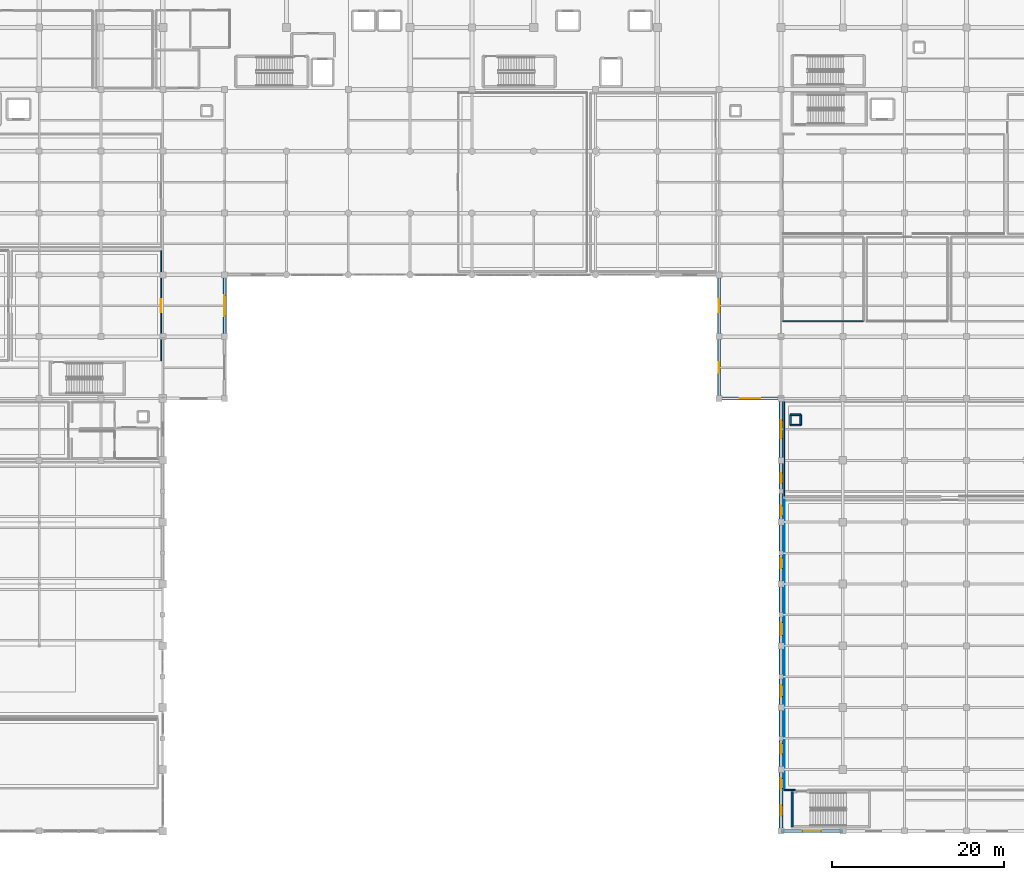
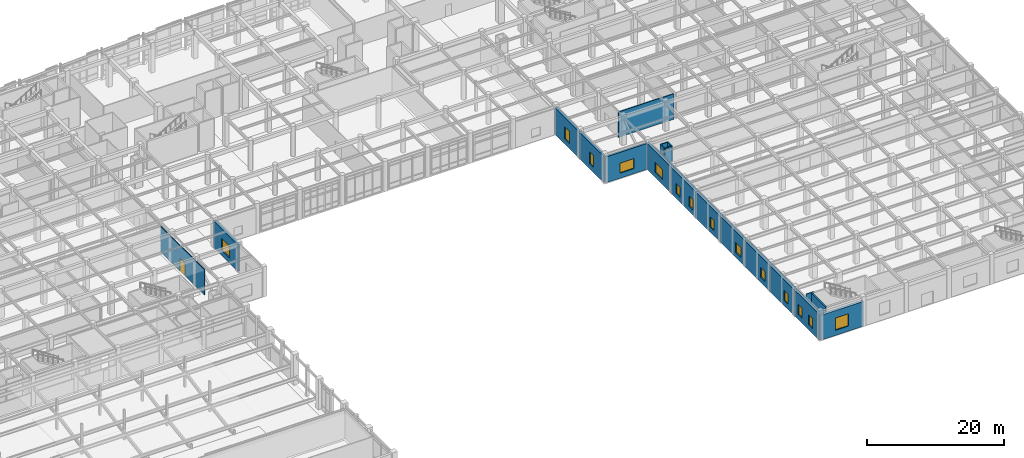
# One storey, part 74 of 102: 22 walls, 14 windows, 1 door, 15 openings.
"""IFC4 building model written with IfcOpenShell, lengths in metres."""

import ifcopenshell
import ifcopenshell.guid

model = None  # the IFC model being written
_history = None  # IfcOwnerHistory: only IFC2X3 demands one
_inside = {}  # id of a spatial element -> (the spatial element, [elements in it])
_under = {}  # id of a project, library or spatial element -> (it, [spatial elements below it])
_declared = {}  # id of a project -> (the project, [libraries it declares])
_typed = {}  # id of a type object -> (the type object, [elements of that type])
_made_of = {}  # id of a material, layer set ... -> (it, [elements and type objects made of it])


def new_model(schema):
    """Start an empty IFC model of exactly this schema.

    Asked for "IFC4X3", IfcOpenShell would pick the latest addendum, in which some entities
    have other attributes; the version numbers below select the first issue.
    IFC2X3 requires an IfcOwnerHistory on every rooted entity: one is made here for all.
    """
    global model, _history
    if schema == "IFC4X3":
        model = ifcopenshell.file(schema_version=(4, 3, 0, 0))
    else:
        model = ifcopenshell.file(schema=schema)
    _inside.clear()
    _under.clear()
    _declared.clear()
    _typed.clear()
    _made_of.clear()
    _history = None
    if model.schema == "IFC2X3":
        org = make("IfcOrganization", Name="unknown")
        user = make(
            "IfcPersonAndOrganization",
            ThePerson=make("IfcPerson", FamilyName="unknown"),
            TheOrganization=org,
        )
        app = make(
            "IfcApplication",
            ApplicationDeveloper=org,
            Version="unknown",
            ApplicationFullName="unknown",
            ApplicationIdentifier="unknown",
        )
        _history = make(
            "IfcOwnerHistory",
            OwningUser=user,
            OwningApplication=app,
            ChangeAction="ADDED",
            CreationDate=0,
        )
    return model


def make(cls, **values):
    """One entity of the class cls with the attributes given. An attribute that is None is left unset."""
    return model.create_entity(
        cls, **{name: value for name, value in values.items() if value is not None}
    )


def rooted(cls, **values):
    """An entity with a GlobalId (a new one), such as an element, a storey or a relation."""
    return make(cls, GlobalId=ifcopenshell.guid.new(), OwnerHistory=_history, **values)


def si_unit(unit_type, name, prefix=None):
    """IfcSIUnit, for example si_unit("LENGTHUNIT", "METRE", prefix="MILLI")."""
    return make("IfcSIUnit", UnitType=unit_type, Prefix=prefix, Name=name)


def assignment(units):
    """IfcUnitAssignment: the units of a project."""
    return None if units is None else make("IfcUnitAssignment", Units=units)


def point(xyz):
    """IfcCartesianPoint."""
    return None if xyz is None else make("IfcCartesianPoint", Coordinates=xyz)


def direction(xyz):
    """IfcDirection."""
    return None if xyz is None else make("IfcDirection", DirectionRatios=xyz)


def frame(location, z_axis=None, x_axis=None):
    """IfcAxis2Placement3D, a coordinate frame: its origin and axes. An axis left out is left unset."""
    return make(
        "IfcAxis2Placement3D",
        Location=point(location),
        Axis=direction(z_axis),
        RefDirection=direction(x_axis),
    )


def frame_2d(location, x_axis=None):
    """IfcAxis2Placement2D, a coordinate frame in the plane: its origin and x axis."""
    return make(
        "IfcAxis2Placement2D", Location=point(location), RefDirection=direction(x_axis)
    )


def origin():
    """The frame at (0, 0, 0) with its axes left unset."""
    return frame((0.0, 0.0, 0.0))


def place(relative_to, where):
    """IfcLocalPlacement: puts the frame where relative to a parent placement (None: the world)."""
    return make(
        "IfcLocalPlacement", PlacementRelTo=relative_to, RelativePlacement=where
    )


def context(
    kind, dimensions, precision=None, world=None, true_north=None, identifier=None
):
    """IfcGeometricRepresentationContext, for example the 3D "Model" context."""
    return make(
        "IfcGeometricRepresentationContext",
        ContextIdentifier=identifier,
        ContextType=kind,
        CoordinateSpaceDimension=dimensions,
        Precision=precision,
        WorldCoordinateSystem=world,
        TrueNorth=true_north,
    )


def subcontext(parent, identifier, kind, view, scale=None):
    """IfcGeometricRepresentationSubContext, for example "Body" below "Model"."""
    return make(
        "IfcGeometricRepresentationSubContext",
        ContextIdentifier=identifier,
        ContextType=kind,
        ParentContext=parent,
        TargetScale=scale,
        TargetView=view,
    )


def project(units=None, contexts=None):
    """IfcProject with its units and contexts."""
    return rooted(
        "IfcProject",
        Name="project",
        RepresentationContexts=contexts,
        UnitsInContext=assignment(units),
    )


def spatial(cls, under=None, at=None, **own):
    """A site, building, storey or space (cls), placed at a placement, below another one or the project."""
    s = rooted(cls, ObjectPlacement=at, **own)
    if under is not None:
        _under.setdefault(under.id(), (under, []))[1].append(s)
    return s


def profile(cls, at=None, kind="AREA", **sizes):
    """A parametric profile (cls). Its sizes go by their IFC names, for example OverallWidth=200.0."""
    return make(cls, ProfileType=kind, Position=at, **sizes)


def rectangle(**sizes):
    """IfcRectangleProfileDef."""
    return profile("IfcRectangleProfileDef", **sizes)


def extrude(swept, where, along, depth):
    """IfcExtrudedAreaSolid: the profile swept, set in the frame where, extruded along a direction by depth."""
    return make(
        "IfcExtrudedAreaSolid",
        SweptArea=swept,
        Position=where,
        ExtrudedDirection=direction(along),
        Depth=depth,
    )


def shape(context_of_items, identifier, shape_type, items):
    """IfcShapeRepresentation: the items that make up one representation, for example the "Body"."""
    return make(
        "IfcShapeRepresentation",
        ContextOfItems=context_of_items,
        RepresentationIdentifier=identifier,
        RepresentationType=shape_type,
        Items=items,
    )


def material(Name=None, Category=None):
    """IfcMaterial."""
    return make("IfcMaterial", Name=Name, Category=Category)


def layer(
    of_material, thickness, ventilated=None, Name=None, Category=None, Priority=None
):
    """IfcMaterialLayer: one layer of a wall or slab, of a material (None: an air gap)."""
    return make(
        "IfcMaterialLayer",
        Material=of_material,
        LayerThickness=thickness,
        IsVentilated=ventilated,
        Name=Name,
        Category=Category,
        Priority=Priority,
    )


def layer_set(layers, Name=None):
    """IfcMaterialLayerSet."""
    return make("IfcMaterialLayerSet", MaterialLayers=layers, LayerSetName=Name)


def made_of(thing, what):
    """Note that an element or type object is made of a material, layer set ...; save() writes the relation."""
    if what is not None:
        _made_of.setdefault(what.id(), (what, []))[1].append(thing)
    return thing


def type_object(cls, material=None, **own):
    """A type object (cls), such as IfcWallType, which elements share."""
    return made_of(rooted(cls, **own), material)


def element(
    cls,
    number,
    at=None,
    inside=None,
    cuts=None,
    type_object=None,
    material=None,
    context=None,
    identifier="Body",
    shape_type=None,
    held_by="IfcProductDefinitionShape",
    body=None,
    shapes=None,
    **own,
):
    """One element of the class cls, such as IfcWall. Its Tag is "e" and its number.

    at: its placement. inside: the storey or other place that contains it. cuts: it is an
    opening in that element (IfcRelVoidsElement). A single representation is given by context,
    identifier, shape_type and body (its items); several are given by shapes. held_by: the class
    of the entity that holds the representations. save() writes the other relations.
    """
    e = rooted(cls, Tag="e%d" % number, ObjectPlacement=at, **own)
    if body is not None:
        shapes = [shape(context, identifier, shape_type, body)]
    if shapes is not None:
        e.Representation = make(held_by, Representations=shapes)
    if inside is not None:
        _inside.setdefault(inside.id(), (inside, []))[1].append(e)
    if cuts is not None:
        rooted(
            "IfcRelVoidsElement", RelatingBuildingElement=cuts, RelatedOpeningElement=e
        )
    if type_object is not None:
        _typed.setdefault(type_object.id(), (type_object, []))[1].append(e)
    return made_of(e, material)


def fill(opening, filler):
    """IfcRelFillsElement: the door or window that sits in an opening."""
    return rooted(
        "IfcRelFillsElement",
        RelatingOpeningElement=opening,
        RelatedBuildingElement=filler,
    )


def aggregate(whole, parts):
    """IfcRelAggregates: a whole, such as a stair, and the parts it consists of."""
    return rooted("IfcRelAggregates", RelatingObject=whole, RelatedObjects=parts)


def save(model, path):
    """Write the relations noted so far, then the file.

    IfcRelAggregates (storeys below a building ...), IfcRelContainedInSpatialStructure (elements
    in a storey), IfcRelDefinesByType, IfcRelAssociatesMaterial and IfcRelDeclares: one each for
    every whole, place, type object, material and project.
    """
    for whole, parts in _under.values():
        aggregate(whole, parts)
    for where, things in _inside.values():
        rooted(
            "IfcRelContainedInSpatialStructure",
            RelatedElements=things,
            RelatingStructure=where,
        )
    for kind, things in _typed.values():
        rooted("IfcRelDefinesByType", RelatedObjects=things, RelatingType=kind)
    for what, things in _made_of.values():
        rooted("IfcRelAssociatesMaterial", RelatedObjects=things, RelatingMaterial=what)
    for by, libraries in _declared.values():
        rooted("IfcRelDeclares", RelatingContext=by, RelatedDefinitions=libraries)
    model.write(path)


model = new_model("IFC4")

# Units and contexts
model_context = context("Model", 3, precision=1e-05, world=origin(), true_north=direction((0.0, 1.0)))
body_context = subcontext(model_context, "Body", "Model", "MODEL_VIEW")
ifc_project = project(units=[si_unit("LENGTHUNIT", "METRE"), si_unit("AREAUNIT", "SQUARE_METRE"), si_unit("VOLUMEUNIT", "CUBIC_METRE"), si_unit("PLANEANGLEUNIT", "RADIAN"), si_unit("MASSUNIT", "GRAM", prefix="KILO")], contexts=[model_context])

# Site, building, storey
site_placement = place(None, origin())
site = spatial("IfcSite", under=ifc_project, at=site_placement, CompositionType="ELEMENT")
building_placement = place(site_placement, origin())
building = spatial("IfcBuilding", under=site, at=building_placement, Name="Carrowvane Square Congress Hotel", CompositionType="ELEMENT")
storey_placement = place(building_placement, origin())
storey = spatial("IfcBuildingStorey", under=building, at=storey_placement, Name="L00", CompositionType="ELEMENT", Elevation=0.0)

# Wall, opening, window
ifc_material_1 = material(Name="Portland limestone cladding", Category="masonry")
ifc_layer_1 = layer(ifc_material_1, 0.3798828125)
ifc_layer_set_1 = layer_set([ifc_layer_1], Name="Portland limestone cladding")
wall_type_1 = type_object("IfcWallType", Name="WL-EXT-LS380", PredefinedType="STANDARD", material=ifc_layer_set_1)
wall_1_placement = place(storey_placement, frame((69.199951171875, 70.199951171875, 0.0), z_axis=(0.0, 0.0, 1.0), x_axis=(0.0, -1.0, 0.0)))
wall_1 = element("IfcWall", 1, at=wall_1_placement, inside=storey, type_object=wall_type_1, Name="L00 exterior facade wall 191", PredefinedType="STANDARD", context=body_context, shape_type="SweptSolid", body=[
    extrude(rectangle(XDim=7.199951171875, YDim=0.3798828125, at=frame_2d((3.60009765625, 0.0))), origin(), (0.0, 0.0, 1.0), 4.72705078125),
])
opening_1_placement = place(wall_1_placement, frame((2.39990234375, 0.0, 0.89990234375)))
opening_1 = element("IfcOpeningElement", 2, at=opening_1_placement, cuts=wall_1, Name="Opening W-12", PredefinedType="OPENING", context=body_context, shape_type="SweptSolid", body=[
    extrude(rectangle(XDim=2.39990234375, YDim=2.10009765625, at=frame_2d((1.199951171875, 1.050048828125))), frame((0.0, 0.199951171875, 0.0), z_axis=(0.0, -1.0, 0.0), x_axis=(1.0, 0.0, 0.0)), (0.0, 0.0, 1.0), 0.39990234375),
])
ifc_material_2 = material(Name="Double-glazed low-E glass", Category="glass")
window_type_1 = type_object("IfcWindowType", Name="WIN-12", PartitioningType="SINGLE_PANEL", PredefinedType="WINDOW", material=ifc_material_2)
window_1_placement = place(opening_1_placement, origin())
window_1 = element("IfcWindow", 3, at=window_1_placement, inside=storey, type_object=window_type_1, Name="L00 facade window 27", OverallHeight=2.10009765625, OverallWidth=2.39990234375, PartitioningType="SINGLE_PANEL", PredefinedType="WINDOW", context=body_context, shape_type="SweptSolid", body=[
    extrude(rectangle(XDim=2.39990234375, YDim=2.10009765625, at=frame_2d((1.199951171875, 1.050048828125))), frame((0.0, 0.030029296875, 0.0), z_axis=(0.0, -1.0, 0.0), x_axis=(1.0, 0.0, 0.0)), (0.0, 0.0, 1.0), 0.06005859375),
])
fill(opening_1, window_1)

ifc_material_3 = material(Name="Portland limestone cladding", Category="masonry")
ifc_layer_2 = layer(ifc_material_3, 0.419921875)
ifc_layer_set_2 = layer_set([ifc_layer_2], Name="Portland limestone cladding")
wall_type_2 = type_object("IfcWallType", Name="WL-EXT-LS420", PredefinedType="STANDARD", material=ifc_layer_set_2)
wall_2_placement = place(storey_placement, frame((141.199951171875, 5.39990234375, 0.0), z_axis=(0.0, 0.0, 1.0), x_axis=(-1.0, 0.0, 0.0)))
wall_2 = element("IfcWall", 4, at=wall_2_placement, inside=storey, type_object=wall_type_2, Name="L00 exterior facade wall 178", PredefinedType="STANDARD", context=body_context, shape_type="SweptSolid", body=[
    extrude(rectangle(XDim=7.199951171875, YDim=0.419921875, at=frame_2d((3.60009765625, 0.0))), origin(), (0.0, 0.0, 1.0), 4.43505859375),
])
opening_2_placement = place(wall_2_placement, frame((2.52490234375, 0.0, 0.89990234375)))
opening_2 = element("IfcOpeningElement", 5, at=opening_2_placement, cuts=wall_2, Name="Opening W-35", PredefinedType="OPENING", context=body_context, shape_type="SweptSolid", body=[
    extrude(rectangle(XDim=2.14990234375, YDim=2.199951171875, at=frame_2d((1.074951171875, 1.10009765625))), frame((0.0, 0.219970703125, 0.0), z_axis=(0.0, -1.0, 0.0), x_axis=(1.0, 0.0, 0.0)), (0.0, 0.0, 1.0), 0.43994140625),
])
ifc_material_4 = material(Name="Double-glazed low-E glass", Category="glass")
window_type_2 = type_object("IfcWindowType", Name="WIN-35", PartitioningType="SINGLE_PANEL", PredefinedType="WINDOW", material=ifc_material_4)
window_2_placement = place(opening_2_placement, origin())
window_2 = element("IfcWindow", 6, at=window_2_placement, inside=storey, type_object=window_type_2, Name="L00 facade window 14", OverallHeight=2.199951171875, OverallWidth=2.14990234375, PartitioningType="SINGLE_PANEL", PredefinedType="WINDOW", context=body_context, shape_type="SweptSolid", body=[
    extrude(rectangle(XDim=2.14990234375, YDim=2.199951171875, at=frame_2d((1.074951171875, 1.10009765625))), frame((0.0, 0.030029296875, 0.0), z_axis=(0.0, -1.0, 0.0), x_axis=(1.0, 0.0, 0.0)), (0.0, 0.0, 1.0), 0.06005859375),
])
fill(opening_2, window_2)

# Wall, openings, windows
wall_3_placement = place(storey_placement, frame((134.0, 5.39990234375, 0.0), z_axis=(0.0, 0.0, 1.0), x_axis=(0.0, 1.0, 0.0)))
wall_3 = element("IfcWall", 7, at=wall_3_placement, inside=storey, type_object=wall_type_2, Name="L00 exterior facade wall 179", PredefinedType="STANDARD", context=body_context, shape_type="SweptSolid", body=[
    extrude(rectangle(XDim=7.2001953125, YDim=0.419921875, at=frame_2d((3.60009765625, 0.0))), origin(), (0.0, 0.0, 1.0), 4.625),
])
opening_3_placement = place(wall_3_placement, frame((1.800048828125, 0.0, 0.89990234375)))
opening_3 = element("IfcOpeningElement", 8, at=opening_3_placement, cuts=wall_3, Name="Opening W-01", PredefinedType="OPENING", context=body_context, shape_type="SweptSolid", body=[
    extrude(rectangle(XDim=1.199951171875, YDim=1.800048828125, at=frame_2d((0.60009765625, 0.89990234375))), frame((0.0, 0.219970703125, 0.0), z_axis=(0.0, -1.0, 0.0), x_axis=(1.0, 0.0, 0.0)), (0.0, 0.0, 1.0), 0.43994140625),
])
opening_4_placement = place(wall_3_placement, frame((4.949951171875, 0.0, 0.89990234375)))
opening_4 = element("IfcOpeningElement", 9, at=opening_4_placement, cuts=wall_3, Name="Opening W-01", PredefinedType="OPENING", context=body_context, shape_type="SweptSolid", body=[
    extrude(rectangle(XDim=1.199951171875, YDim=1.800048828125, at=frame_2d((0.60009765625, 0.89990234375))), frame((0.0, 0.219970703125, 0.0), z_axis=(0.0, -1.0, 0.0), x_axis=(1.0, 0.0, 0.0)), (0.0, 0.0, 1.0), 0.43994140625),
])
ifc_material_5 = material(Name="Double-glazed low-E glass", Category="glass")
window_type_3 = type_object("IfcWindowType", Name="WIN-01", PartitioningType="SINGLE_PANEL", PredefinedType="WINDOW", material=ifc_material_5)
window_3_placement = place(opening_3_placement, origin())
window_3 = element("IfcWindow", 10, at=window_3_placement, inside=storey, type_object=window_type_3, Name="L00 facade window 15", OverallHeight=1.800048828125, OverallWidth=1.199951171875, PartitioningType="SINGLE_PANEL", PredefinedType="WINDOW", context=body_context, shape_type="SweptSolid", body=[
    extrude(rectangle(XDim=1.199951171875, YDim=1.800048828125, at=frame_2d((0.60009765625, 0.89990234375))), frame((0.0, 0.030029296875, 0.0), z_axis=(0.0, -1.0, 0.0), x_axis=(1.0, 0.0, 0.0)), (0.0, 0.0, 1.0), 0.06005859375),
])
fill(opening_3, window_3)
window_4_placement = place(opening_4_placement, origin())
window_4 = element("IfcWindow", 11, at=window_4_placement, inside=storey, type_object=window_type_3, Name="L00 split-bay facade window WIN-L00-0015-1", OverallHeight=1.800048828125, OverallWidth=1.199951171875, PartitioningType="SINGLE_PANEL", PredefinedType="WINDOW", context=body_context, shape_type="SweptSolid", body=[
    extrude(rectangle(XDim=1.199951171875, YDim=1.800048828125, at=frame_2d((0.60009765625, 0.89990234375))), frame((0.0, 0.030029296875, 0.0), z_axis=(0.0, -1.0, 0.0), x_axis=(1.0, 0.0, 0.0)), (0.0, 0.0, 1.0), 0.06005859375),
])
fill(opening_4, window_4)

# Wall, opening, window
wall_4_placement = place(storey_placement, frame((134.0, 12.60009765625, 0.0), z_axis=(0.0, 0.0, 1.0), x_axis=(0.0, 1.0, 0.0)))
wall_4 = element("IfcWall", 12, at=wall_4_placement, inside=storey, type_object=wall_type_2, Name="L00 exterior facade wall 180", PredefinedType="STANDARD", context=body_context, shape_type="SweptSolid", body=[
    extrude(rectangle(XDim=7.199951171875, YDim=0.419921875, at=frame_2d((3.60009765625, 0.0))), origin(), (0.0, 0.0, 1.0), 4.625),
])
opening_5_placement = place(wall_4_placement, frame((1.800048828125, 0.0, 0.89990234375)))
opening_5 = element("IfcOpeningElement", 13, at=opening_5_placement, cuts=wall_4, Name="Opening W-01", PredefinedType="OPENING", context=body_context, shape_type="SweptSolid", body=[
    extrude(rectangle(XDim=1.199951171875, YDim=1.800048828125, at=frame_2d((0.60009765625, 0.89990234375))), frame((0.0, 0.219970703125, 0.0), z_axis=(0.0, -1.0, 0.0), x_axis=(1.0, 0.0, 0.0)), (0.0, 0.0, 1.0), 0.43994140625),
])
window_5_placement = place(opening_5_placement, origin())
window_5 = element("IfcWindow", 14, at=window_5_placement, inside=storey, type_object=window_type_3, Name="L00 facade window 16", OverallHeight=1.800048828125, OverallWidth=1.199951171875, PartitioningType="SINGLE_PANEL", PredefinedType="WINDOW", context=body_context, shape_type="SweptSolid", body=[
    extrude(rectangle(XDim=1.199951171875, YDim=1.800048828125, at=frame_2d((0.60009765625, 0.89990234375))), frame((0.0, 0.030029296875, 0.0), z_axis=(0.0, -1.0, 0.0), x_axis=(1.0, 0.0, 0.0)), (0.0, 0.0, 1.0), 0.06005859375),
])
fill(opening_5, window_5)

wall_5_placement = place(storey_placement, frame((134.0, 19.800048828125, 0.0), z_axis=(0.0, 0.0, 1.0), x_axis=(0.0, 1.0, 0.0)))
wall_5 = element("IfcWall", 15, at=wall_5_placement, inside=storey, type_object=wall_type_2, Name="L00 exterior facade wall 181", PredefinedType="STANDARD", context=body_context, shape_type="SweptSolid", body=[
    extrude(rectangle(XDim=7.199951171875, YDim=0.419921875, at=frame_2d((3.60009765625, 0.0))), origin(), (0.0, 0.0, 1.0), 4.625),
])
opening_6_placement = place(wall_5_placement, frame((1.27490234375, 0.0, 0.89990234375)))
opening_6 = element("IfcOpeningElement", 16, at=opening_6_placement, cuts=wall_5, Name="Opening W-02", PredefinedType="OPENING", context=body_context, shape_type="SweptSolid", body=[
    extrude(rectangle(XDim=1.35009765625, YDim=1.800048828125, at=frame_2d((0.675048828125, 0.89990234375))), frame((0.0, 0.219970703125, 0.0), z_axis=(0.0, -1.0, 0.0), x_axis=(1.0, 0.0, 0.0)), (0.0, 0.0, 1.0), 0.43994140625),
])
ifc_material_6 = material(Name="Double-glazed low-E glass", Category="glass")
window_type_4 = type_object("IfcWindowType", Name="WIN-02", PartitioningType="SINGLE_PANEL", PredefinedType="WINDOW", material=ifc_material_6)
window_6_placement = place(opening_6_placement, origin())
window_6 = element("IfcWindow", 17, at=window_6_placement, inside=storey, type_object=window_type_4, Name="L00 facade window 17", OverallHeight=1.800048828125, OverallWidth=1.35009765625, PartitioningType="SINGLE_PANEL", PredefinedType="WINDOW", context=body_context, shape_type="SweptSolid", body=[
    extrude(rectangle(XDim=1.35009765625, YDim=1.800048828125, at=frame_2d((0.675048828125, 0.89990234375))), frame((0.0, 0.030029296875, 0.0), z_axis=(0.0, -1.0, 0.0), x_axis=(1.0, 0.0, 0.0)), (0.0, 0.0, 1.0), 0.06005859375),
])
fill(opening_6, window_6)

wall_6_placement = place(storey_placement, frame((134.0, 27.0, 0.0), z_axis=(0.0, 0.0, 1.0), x_axis=(0.0, 1.0, 0.0)))
wall_6 = element("IfcWall", 18, at=wall_6_placement, inside=storey, type_object=wall_type_2, Name="L00 exterior facade wall 182", PredefinedType="STANDARD", context=body_context, shape_type="SweptSolid", body=[
    extrude(rectangle(XDim=7.199951171875, YDim=0.419921875, at=frame_2d((3.60009765625, 0.0))), origin(), (0.0, 0.0, 1.0), 4.625),
])
opening_7_placement = place(wall_6_placement, frame((1.199951171875, 0.0, 0.89990234375)))
opening_7 = element("IfcOpeningElement", 19, at=opening_7_placement, cuts=wall_6, Name="Opening W-03", PredefinedType="OPENING", context=body_context, shape_type="SweptSolid", body=[
    extrude(rectangle(XDim=1.5, YDim=1.800048828125, at=frame_2d((0.75, 0.89990234375))), frame((0.0, 0.219970703125, 0.0), z_axis=(0.0, -1.0, 0.0), x_axis=(1.0, 0.0, 0.0)), (0.0, 0.0, 1.0), 0.43994140625),
])
ifc_material_7 = material(Name="Double-glazed low-E glass", Category="glass")
window_type_5 = type_object("IfcWindowType", Name="WIN-03", PartitioningType="SINGLE_PANEL", PredefinedType="WINDOW", material=ifc_material_7)
window_7_placement = place(opening_7_placement, origin())
window_7 = element("IfcWindow", 20, at=window_7_placement, inside=storey, type_object=window_type_5, Name="L00 facade window 18", OverallHeight=1.800048828125, OverallWidth=1.5, PartitioningType="SINGLE_PANEL", PredefinedType="WINDOW", context=body_context, shape_type="SweptSolid", body=[
    extrude(rectangle(XDim=1.5, YDim=1.800048828125, at=frame_2d((0.75, 0.89990234375))), frame((0.0, 0.030029296875, 0.0), z_axis=(0.0, -1.0, 0.0), x_axis=(1.0, 0.0, 0.0)), (0.0, 0.0, 1.0), 0.06005859375),
])
fill(opening_7, window_7)

wall_7_placement = place(storey_placement, frame((134.0, 34.199951171875, 0.0), z_axis=(0.0, 0.0, 1.0), x_axis=(0.0, 1.0, 0.0)))
wall_7 = element("IfcWall", 21, at=wall_7_placement, inside=storey, type_object=wall_type_2, Name="L00 exterior facade wall 183", PredefinedType="STANDARD", context=body_context, shape_type="SweptSolid", body=[
    extrude(rectangle(XDim=7.199951171875, YDim=0.419921875, at=frame_2d((3.60009765625, 0.0))), origin(), (0.0, 0.0, 1.0), 4.625),
])
opening_8_placement = place(wall_7_placement, frame((1.800048828125, 0.0, 0.89990234375)))
opening_8 = element("IfcOpeningElement", 22, at=opening_8_placement, cuts=wall_7, Name="Opening W-01", PredefinedType="OPENING", context=body_context, shape_type="SweptSolid", body=[
    extrude(rectangle(XDim=1.199951171875, YDim=1.800048828125, at=frame_2d((0.60009765625, 0.89990234375))), frame((0.0, 0.219970703125, 0.0), z_axis=(0.0, -1.0, 0.0), x_axis=(1.0, 0.0, 0.0)), (0.0, 0.0, 1.0), 0.43994140625),
])
window_8_placement = place(opening_8_placement, origin())
window_8 = element("IfcWindow", 23, at=window_8_placement, inside=storey, type_object=window_type_3, Name="L00 facade window 19", OverallHeight=1.800048828125, OverallWidth=1.199951171875, PartitioningType="SINGLE_PANEL", PredefinedType="WINDOW", context=body_context, shape_type="SweptSolid", body=[
    extrude(rectangle(XDim=1.199951171875, YDim=1.800048828125, at=frame_2d((0.60009765625, 0.89990234375))), frame((0.0, 0.030029296875, 0.0), z_axis=(0.0, -1.0, 0.0), x_axis=(1.0, 0.0, 0.0)), (0.0, 0.0, 1.0), 0.06005859375),
])
fill(opening_8, window_8)

# Wall, openings, windows
wall_8_placement = place(storey_placement, frame((134.0, 41.39990234375, 0.0), z_axis=(0.0, 0.0, 1.0), x_axis=(0.0, 1.0, 0.0)))
wall_8 = element("IfcWall", 24, at=wall_8_placement, inside=storey, type_object=wall_type_2, Name="L00 exterior facade wall 184", PredefinedType="STANDARD", context=body_context, shape_type="SweptSolid", body=[
    extrude(rectangle(XDim=7.2001953125, YDim=0.419921875, at=frame_2d((3.60009765625, 0.0))), origin(), (0.0, 0.0, 1.0), 4.625),
])
opening_9_placement = place(wall_8_placement, frame((0.699951171875, 0.0, 0.89990234375)))
opening_9 = element("IfcOpeningElement", 25, at=opening_9_placement, cuts=wall_8, Name="Opening W-01", PredefinedType="OPENING", context=body_context, shape_type="SweptSolid", body=[
    extrude(rectangle(XDim=1.199951171875, YDim=1.800048828125, at=frame_2d((0.60009765625, 0.89990234375))), frame((0.0, 0.219970703125, 0.0), z_axis=(0.0, -1.0, 0.0), x_axis=(1.0, 0.0, 0.0)), (0.0, 0.0, 1.0), 0.43994140625),
])
opening_10_placement = place(wall_8_placement, frame((4.5, 0.0, 0.89990234375)))
opening_10 = element("IfcOpeningElement", 26, at=opening_10_placement, cuts=wall_8, Name="Opening W-01", PredefinedType="OPENING", context=body_context, shape_type="SweptSolid", body=[
    extrude(rectangle(XDim=1.199951171875, YDim=1.800048828125, at=frame_2d((0.60009765625, 0.89990234375))), frame((0.0, 0.219970703125, 0.0), z_axis=(0.0, -1.0, 0.0), x_axis=(1.0, 0.0, 0.0)), (0.0, 0.0, 1.0), 0.43994140625),
])
window_9_placement = place(opening_9_placement, origin())
window_9 = element("IfcWindow", 27, at=window_9_placement, inside=storey, type_object=window_type_3, Name="L00 facade window 20", OverallHeight=1.800048828125, OverallWidth=1.199951171875, PartitioningType="SINGLE_PANEL", PredefinedType="WINDOW", context=body_context, shape_type="SweptSolid", body=[
    extrude(rectangle(XDim=1.199951171875, YDim=1.800048828125, at=frame_2d((0.60009765625, 0.89990234375))), frame((0.0, 0.030029296875, 0.0), z_axis=(0.0, -1.0, 0.0), x_axis=(1.0, 0.0, 0.0)), (0.0, 0.0, 1.0), 0.06005859375),
])
fill(opening_9, window_9)
window_10_placement = place(opening_10_placement, origin())
window_10 = element("IfcWindow", 28, at=window_10_placement, inside=storey, type_object=window_type_3, Name="L00 split-bay facade window WIN-L00-0020-2", OverallHeight=1.800048828125, OverallWidth=1.199951171875, PartitioningType="SINGLE_PANEL", PredefinedType="WINDOW", context=body_context, shape_type="SweptSolid", body=[
    extrude(rectangle(XDim=1.199951171875, YDim=1.800048828125, at=frame_2d((0.60009765625, 0.89990234375))), frame((0.0, 0.030029296875, 0.0), z_axis=(0.0, -1.0, 0.0), x_axis=(1.0, 0.0, 0.0)), (0.0, 0.0, 1.0), 0.06005859375),
])
fill(opening_10, window_10)

# Wall, opening, window
wall_9_placement = place(storey_placement, frame((134.0, 48.60009765625, 0.0), z_axis=(0.0, 0.0, 1.0), x_axis=(0.0, 1.0, 0.0)))
wall_9 = element("IfcWall", 29, at=wall_9_placement, inside=storey, type_object=wall_type_2, Name="L00 exterior facade wall 185", PredefinedType="STANDARD", context=body_context, shape_type="SweptSolid", body=[
    extrude(rectangle(XDim=7.199951171875, YDim=0.419921875, at=frame_2d((3.60009765625, 0.0))), origin(), (0.0, 0.0, 1.0), 4.625),
])
opening_11_placement = place(wall_9_placement, frame((2.550048828125, 0.0, 0.89990234375)))
opening_11 = element("IfcOpeningElement", 30, at=opening_11_placement, cuts=wall_9, Name="Opening W-06", PredefinedType="OPENING", context=body_context, shape_type="SweptSolid", body=[
    extrude(rectangle(XDim=2.10009765625, YDim=1.800048828125, at=frame_2d((1.050048828125, 0.89990234375))), frame((0.0, 0.219970703125, 0.0), z_axis=(0.0, -1.0, 0.0), x_axis=(1.0, 0.0, 0.0)), (0.0, 0.0, 1.0), 0.43994140625),
])
ifc_material_8 = material(Name="Double-glazed low-E glass", Category="glass")
window_type_6 = type_object("IfcWindowType", Name="WIN-06", PartitioningType="SINGLE_PANEL", PredefinedType="WINDOW", material=ifc_material_8)
window_11_placement = place(opening_11_placement, origin())
window_11 = element("IfcWindow", 31, at=window_11_placement, inside=storey, type_object=window_type_6, Name="L00 facade window 21", OverallHeight=1.800048828125, OverallWidth=2.10009765625, PartitioningType="SINGLE_PANEL", PredefinedType="WINDOW", context=body_context, shape_type="SweptSolid", body=[
    extrude(rectangle(XDim=2.10009765625, YDim=1.800048828125, at=frame_2d((1.050048828125, 0.89990234375))), frame((0.0, 0.030029296875, 0.0), z_axis=(0.0, -1.0, 0.0), x_axis=(1.0, 0.0, 0.0)), (0.0, 0.0, 1.0), 0.06005859375),
])
fill(opening_11, window_11)

ifc_material_9 = material(Name="Glazed terracotta rainscreen", Category="masonry")
ifc_layer_3 = layer(ifc_material_9, 0.360107421875)
ifc_layer_set_3 = layer_set([ifc_layer_3], Name="Glazed terracotta rainscreen")
wall_type_3 = type_object("IfcWallType", Name="WL-EXT-TC360", PredefinedType="STANDARD", material=ifc_layer_set_3)
wall_10_placement = place(storey_placement, frame((134.0, 55.800048828125, 0.0), z_axis=(0.0, 0.0, 1.0), x_axis=(-1.0, 0.0, 0.0)))
wall_10 = element("IfcWall", 32, at=wall_10_placement, inside=storey, type_object=wall_type_3, Name="L00 exterior facade wall 186", PredefinedType="STANDARD", context=body_context, shape_type="SweptSolid", body=[
    extrude(rectangle(XDim=7.199951171875, YDim=0.360107421875, at=frame_2d((3.60009765625, 0.0))), origin(), (0.0, 0.0, 1.0), 4.625),
])
opening_12_placement = place(wall_10_placement, frame((2.39990234375, 0.0, 0.89990234375)))
opening_12 = element("IfcOpeningElement", 33, at=opening_12_placement, cuts=wall_10, Name="Opening W-07", PredefinedType="OPENING", context=body_context, shape_type="SweptSolid", body=[
    extrude(rectangle(XDim=2.39990234375, YDim=1.800048828125, at=frame_2d((1.199951171875, 0.89990234375))), frame((0.0, 0.18994140625, 0.0), z_axis=(0.0, -1.0, 0.0), x_axis=(1.0, 0.0, 0.0)), (0.0, 0.0, 1.0), 0.380126953125),
])
ifc_material_10 = material(Name="Double-glazed low-E glass", Category="glass")
window_type_7 = type_object("IfcWindowType", Name="WIN-07", PartitioningType="SINGLE_PANEL", PredefinedType="WINDOW", material=ifc_material_10)
window_12_placement = place(opening_12_placement, origin())
window_12 = element("IfcWindow", 34, at=window_12_placement, inside=storey, type_object=window_type_7, Name="L00 facade window 22", OverallHeight=1.800048828125, OverallWidth=2.39990234375, PartitioningType="SINGLE_PANEL", PredefinedType="WINDOW", context=body_context, shape_type="SweptSolid", body=[
    extrude(rectangle(XDim=2.39990234375, YDim=1.800048828125, at=frame_2d((1.199951171875, 0.89990234375))), frame((0.0, 0.030029296875, 0.0), z_axis=(0.0, -1.0, 0.0), x_axis=(1.0, 0.0, 0.0)), (0.0, 0.0, 1.0), 0.06005859375),
])
fill(opening_12, window_12)

wall_11_placement = place(storey_placement, frame((126.800048828125, 55.800048828125, 0.0), z_axis=(0.0, 0.0, 1.0), x_axis=(0.0, 1.0, 0.0)))
wall_11 = element("IfcWall", 35, at=wall_11_placement, inside=storey, type_object=wall_type_3, Name="L00 exterior facade wall 187", PredefinedType="STANDARD", context=body_context, shape_type="SweptSolid", body=[
    extrude(rectangle(XDim=7.199951171875, YDim=0.360107421875, at=frame_2d((3.60009765625, 0.0))), origin(), (0.0, 0.0, 1.0), 4.72705078125),
])
opening_13_placement = place(wall_11_placement, frame((3.0, 0.0, 0.89990234375)))
opening_13 = element("IfcOpeningElement", 36, at=opening_13_placement, cuts=wall_11, Name="Opening W-08", PredefinedType="OPENING", context=body_context, shape_type="SweptSolid", body=[
    extrude(rectangle(XDim=1.199951171875, YDim=2.10009765625, at=frame_2d((0.60009765625, 1.050048828125))), frame((0.0, 0.18994140625, 0.0), z_axis=(0.0, -1.0, 0.0), x_axis=(1.0, 0.0, 0.0)), (0.0, 0.0, 1.0), 0.380126953125),
])
ifc_material_11 = material(Name="Double-glazed low-E glass", Category="glass")
window_type_8 = type_object("IfcWindowType", Name="WIN-08", PartitioningType="SINGLE_PANEL", PredefinedType="WINDOW", material=ifc_material_11)
window_13_placement = place(opening_13_placement, origin())
window_13 = element("IfcWindow", 37, at=window_13_placement, inside=storey, type_object=window_type_8, Name="L00 facade window 23", OverallHeight=2.10009765625, OverallWidth=1.199951171875, PartitioningType="SINGLE_PANEL", PredefinedType="WINDOW", context=body_context, shape_type="SweptSolid", body=[
    extrude(rectangle(XDim=1.199951171875, YDim=2.10009765625, at=frame_2d((0.60009765625, 1.050048828125))), frame((0.0, 0.030029296875, 0.0), z_axis=(0.0, -1.0, 0.0), x_axis=(1.0, 0.0, 0.0)), (0.0, 0.0, 1.0), 0.06005859375),
])
fill(opening_13, window_13)

wall_12_placement = place(storey_placement, frame((126.800048828125, 63.0, 0.0), z_axis=(0.0, 0.0, 1.0), x_axis=(0.0, 1.0, 0.0)))
wall_12 = element("IfcWall", 38, at=wall_12_placement, inside=storey, type_object=wall_type_3, Name="L00 exterior facade wall 188", PredefinedType="STANDARD", context=body_context, shape_type="SweptSolid", body=[
    extrude(rectangle(XDim=7.199951171875, YDim=0.360107421875, at=frame_2d((3.60009765625, 0.0))), origin(), (0.0, 0.0, 1.0), 4.72705078125),
])
opening_14_placement = place(wall_12_placement, frame((2.85009765625, 0.0, 0.89990234375)))
opening_14 = element("IfcOpeningElement", 39, at=opening_14_placement, cuts=wall_12, Name="Opening W-09", PredefinedType="OPENING", context=body_context, shape_type="SweptSolid", body=[
    extrude(rectangle(XDim=1.5, YDim=2.10009765625, at=frame_2d((0.75, 1.050048828125))), frame((0.0, 0.18994140625, 0.0), z_axis=(0.0, -1.0, 0.0), x_axis=(1.0, 0.0, 0.0)), (0.0, 0.0, 1.0), 0.380126953125),
])
ifc_material_12 = material(Name="Double-glazed low-E glass", Category="glass")
window_type_9 = type_object("IfcWindowType", Name="WIN-09", PartitioningType="SINGLE_PANEL", PredefinedType="WINDOW", material=ifc_material_12)
window_14_placement = place(opening_14_placement, origin())
window_14 = element("IfcWindow", 40, at=window_14_placement, inside=storey, type_object=window_type_9, Name="L00 facade window 24", OverallHeight=2.10009765625, OverallWidth=1.5, PartitioningType="SINGLE_PANEL", PredefinedType="WINDOW", context=body_context, shape_type="SweptSolid", body=[
    extrude(rectangle(XDim=1.5, YDim=2.10009765625, at=frame_2d((0.75, 1.050048828125))), frame((0.0, 0.030029296875, 0.0), z_axis=(0.0, -1.0, 0.0), x_axis=(1.0, 0.0, 0.0)), (0.0, 0.0, 1.0), 0.06005859375),
])
fill(opening_14, window_14)

# Walls
ifc_material_13 = material(Name="Standing-seam zinc cladding", Category="metal")
ifc_layer_4 = layer(ifc_material_13, 0.195068359375)
ifc_layer_set_4 = layer_set([ifc_layer_4], Name="Standing-seam zinc cladding")
wall_type_4 = type_object("IfcWallType", Name="WL-PAR-195", PredefinedType="PARAPET", material=ifc_layer_set_4)
for number, where, z_axis, x_axis, name in (
    (41, (135.10009765625, 52.699951171875, 0.0), (0.0, 0.0, 1.0), (1.0, 0.0, 0.0), "L00 service riser RSR-V2 enclosure S"),
    (42, (136.300048828125, 52.699951171875, 0.0), (0.0, 0.0, 1.0), (0.0, 1.0, 0.0), "L00 service riser RSR-V2 enclosure E"),
    (43, (136.300048828125, 53.89990234375, 0.0), (0.0, 0.0, 1.0), (-1.0, 0.0, 0.0), "L00 service riser RSR-V2 enclosure N"),
    (44, (135.10009765625, 53.89990234375, 0.0), (0.0, 0.0, 1.0), (0.0, -1.0, 0.0), "L00 service riser RSR-V2 enclosure W"),
):
    element("IfcWall", number, at=place(storey_placement, frame(where, z_axis=z_axis, x_axis=x_axis)), inside=storey, type_object=wall_type_4, Name=name, PredefinedType="PARAPET", context=body_context, shape_type="SweptSolid", body=[
        extrude(rectangle(XDim=1.199951171875, YDim=0.195068359375, at=frame_2d((0.60009765625, 0.0))), origin(), (0.0, 0.0, 1.0), 5.10009765625),
    ])
ifc_material_14 = material(Name="Acoustic gypsum board", Category="gypsum")
ifc_layer_5 = layer(ifc_material_14, 0.097900390625)
ifc_layer_set_5 = layer_set([ifc_layer_5], Name="Acoustic gypsum board")
wall_type_5 = type_object("IfcWallType", Name="WL-PRT-098", PredefinedType="PARTITIONING", material=ifc_layer_set_5)
wall_13_placement = place(storey_placement, frame((134.39990234375, 10.199951171875, 0.0), z_axis=(0.0, 0.0, 1.0), x_axis=(0.0, 1.0, 0.0)))
element("IfcWall", 45, at=wall_13_placement, inside=storey, type_object=wall_type_5, Name="L00 Exhibition Concourse and Trade Hall partition", PredefinedType="PARTITIONING", context=body_context, shape_type="SweptSolid", body=[
    extrude(rectangle(XDim=33.800048828125, YDim=0.097900390625, at=frame_2d((16.89990234375, 0.0))), origin(), (0.0, 0.0, 1.0), 4.472900390625),
])
ifc_material_15 = material(Name="Acoustic gypsum board", Category="gypsum")
ifc_layer_6 = layer(ifc_material_15, 0.1279296875)
ifc_layer_set_6 = layer_set([ifc_layer_6], Name="Acoustic gypsum board")
wall_type_6 = type_object("IfcWallType", Name="WL-PRT-128", PredefinedType="PARTITIONING", material=ifc_layer_set_6)
wall_14_placement = place(storey_placement, frame((134.39990234375, 44.39990234375, 0.0), z_axis=(0.0, 0.0, 1.0), x_axis=(0.0, 1.0, 0.0)))
element("IfcWall", 46, at=wall_14_placement, inside=storey, type_object=wall_type_6, Name="L00 Central Banqueting Production Kitchen partition", PredefinedType="PARTITIONING", context=body_context, shape_type="SweptSolid", body=[
    extrude(rectangle(XDim=11.0, YDim=0.1279296875, at=frame_2d((5.5, 0.0))), origin(), (0.0, 0.0, 1.0), 4.472900390625),
])

# Wall, opening, door
wall_15_placement = place(storey_placement, frame((61.800048828125, 73.0, 0.0), z_axis=(0.0, 0.0, 1.0), x_axis=(0.0, -1.0, 0.0)))
wall_15 = element("IfcWall", 47, at=wall_15_placement, inside=storey, type_object=wall_type_6, Name="L00 Botanical Wellness Cafe partition", PredefinedType="PARTITIONING", context=body_context, shape_type="SweptSolid", body=[
    extrude(rectangle(XDim=12.800048828125, YDim=0.1279296875, at=frame_2d((6.39990234375, 0.0))), origin(), (0.0, 0.0, 1.0), 4.54833984375),
])
opening_15_placement = place(wall_15_placement, frame((5.6201171875, 0.0, 0.0)))
opening_15 = element("IfcOpeningElement", 48, at=opening_15_placement, cuts=wall_15, Name="Opening ID-26", PredefinedType="OPENING", context=body_context, shape_type="SweptSolid", body=[
    extrude(rectangle(XDim=1.56005859375, YDim=2.260009765625, at=frame_2d((0.780029296875, 1.1298828125))), frame((0.0, 0.073974609375, 0.0), z_axis=(0.0, -1.0, 0.0), x_axis=(1.0, 0.0, 0.0)), (0.0, 0.0, 1.0), 0.14794921875),
])
ifc_material_16 = material(Name="European oak timber", Category="wood")
door_type = type_object("IfcDoorType", Name="DR-INT-1560x2260", OperationType="DOUBLE_DOOR_SINGLE_SWING", PredefinedType="DOOR", material=ifc_material_16)
door_placement = place(opening_15_placement, origin())
door = element("IfcDoor", 49, at=door_placement, inside=storey, type_object=door_type, Name="L00 Botanical Wellness Cafe entrance door", OperationType="DOUBLE_DOOR_SINGLE_SWING", OverallHeight=2.260009765625, OverallWidth=1.56005859375, PredefinedType="DOOR", context=body_context, shape_type="SweptSolid", body=[
    extrude(rectangle(XDim=1.56005859375, YDim=2.260009765625, at=frame_2d((0.780029296875, 1.1298828125))), frame((0.0, 0.02490234375, 0.0), z_axis=(0.0, -1.0, 0.0), x_axis=(1.0, 0.0, 0.0)), (0.0, 0.0, 1.0), 0.050048828125),
])
fill(opening_15, door)

# Walls
ifc_material_17 = material(Name="Acoustic gypsum board", Category="gypsum")
ifc_layer_7 = layer(ifc_material_17, 0.137939453125)
ifc_layer_set_7 = layer_set([ifc_layer_7], Name="Acoustic gypsum board")
wall_type_7 = type_object("IfcWallType", Name="WL-PRT-138", PredefinedType="PARTITIONING", material=ifc_layer_set_7)
wall_16_placement = place(storey_placement, frame((135.669921875, 10.199951171875, 0.0), z_axis=(0.0, 0.0, 1.0), x_axis=(-1.0, 0.0, 0.0)))
element("IfcWall", 50, at=wall_16_placement, inside=storey, type_object=wall_type_7, Name="L00 Exhibition Concourse and Trade Hall partition", PredefinedType="PARTITIONING", context=body_context, shape_type="SweptSolid", body=[
    extrude(rectangle(XDim=1.27001953125, YDim=0.137939453125, at=frame_2d((0.635009765625, 0.0))), origin(), (0.0, 0.0, 1.0), 5.10009765625),
])
ifc_material_18 = material(Name="Acoustic gypsum board", Category="gypsum")
ifc_layer_8 = layer(ifc_material_18, 0.14794921875)
ifc_layer_set_8 = layer_set([ifc_layer_8], Name="Acoustic gypsum board")
wall_type_8 = type_object("IfcWallType", Name="WL-PRT-148", PredefinedType="PARTITIONING", material=ifc_layer_set_8)
wall_17_placement = place(storey_placement, frame((143.60009765625, 64.800048828125, 0.0), z_axis=(0.0, 0.0, 1.0), x_axis=(-1.0, 0.0, 0.0)))
element("IfcWall", 51, at=wall_17_placement, inside=storey, type_object=wall_type_8, Name="L00 Syndicate Meeting Room G01 partition", PredefinedType="PARTITIONING", context=body_context, shape_type="SweptSolid", body=[
    extrude(rectangle(XDim=9.400146484375, YDim=0.14794921875, at=frame_2d((4.7001953125, 0.0))), origin(), (0.0, 0.0, 1.0), 4.54833984375),
])
ifc_material_19 = material(Name="Concrete C40/50", Category="concrete")
ifc_layer_9 = layer(ifc_material_19, 0.22509765625)
ifc_layer_set_9 = layer_set([ifc_layer_9], Name="Concrete C40/50")
wall_type_9 = type_object("IfcWallType", Name="WL-SHR-225", PredefinedType="SHEAR", material=ifc_layer_set_9)
wall_18_placement = place(storey_placement, frame((135.300048828125, 10.0, 0.0), z_axis=(0.0, 0.0, 1.0), x_axis=(0.0, -1.0, 0.0)))
element("IfcWall", 52, at=wall_18_placement, inside=storey, type_object=wall_type_9, Name="L00 ST10 core wall west", PredefinedType="SHEAR", context=body_context, shape_type="SweptSolid", body=[
    extrude(rectangle(XDim=4.10009765625, YDim=0.22509765625, at=frame_2d((2.050048828125, 0.0))), origin(), (0.0, 0.0, 1.0), 5.10009765625),
])

save(model, "model.ifc")
